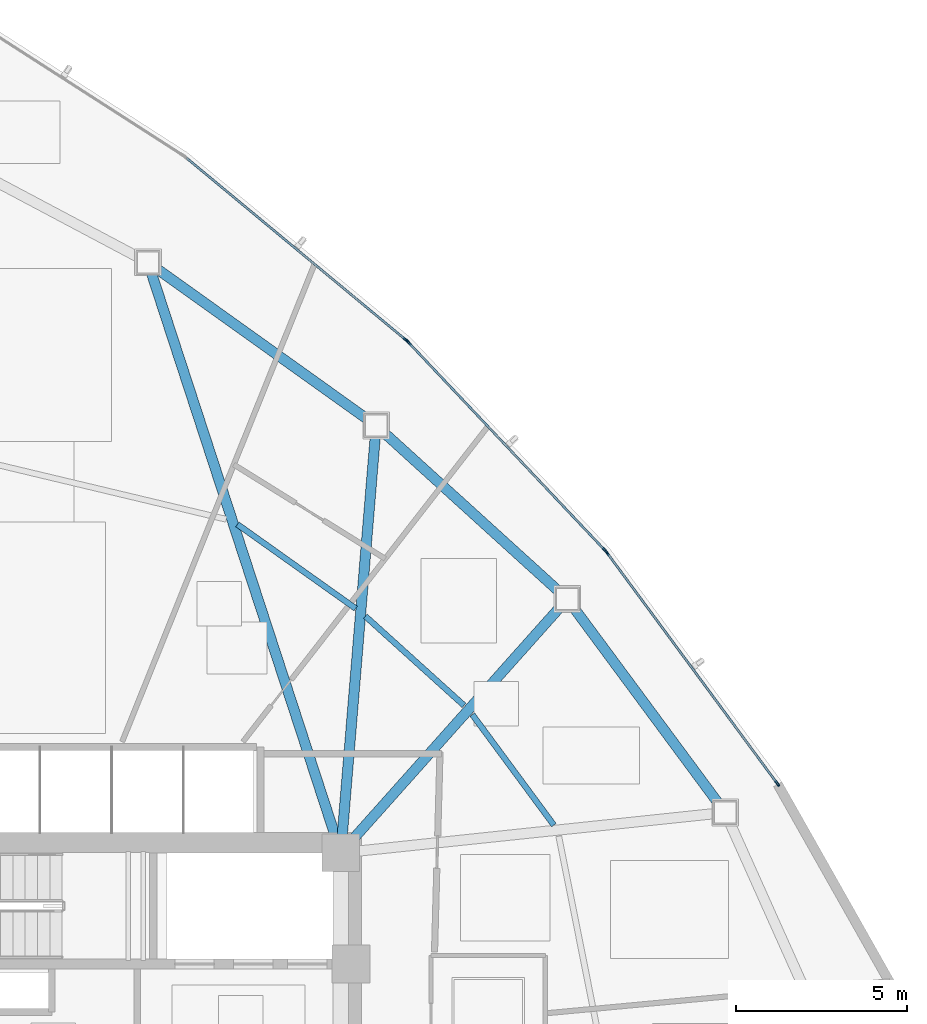
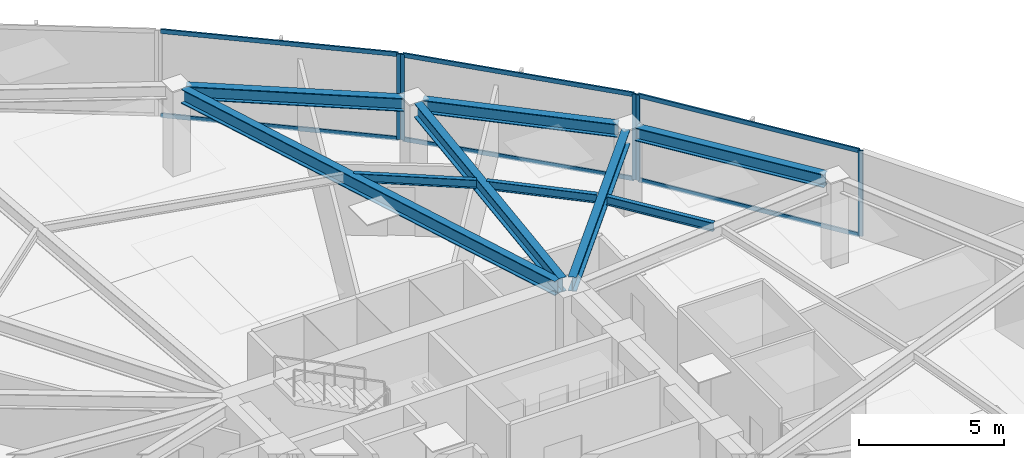
# One storey, part 9 of 17: 11 members, 9 beams, 3 elements without a shape of their own.
"""IFC4 building model written with IfcOpenShell, lengths in metres."""

from ifc_helpers import new_model, si_unit, direction, frame, origin, origin_2d, place, context, subcontext, project, spatial, hollow_rectangle, i_section, extrude, source, transform, mapped, material, layer, layer_set, material_profile, profile_set, type_object, type_shapes, element, aggregate, save


model = new_model("IFC4")

# Units and contexts
model_context = context("Model", 3, precision=1e-05, world=origin(), true_north=direction((0.0, 1.0)))
body_context = subcontext(model_context, "Body", "Model", "MODEL_VIEW")
ifc_project = project(units=[si_unit("LENGTHUNIT", "METRE"), si_unit("AREAUNIT", "SQUARE_METRE"), si_unit("VOLUMEUNIT", "CUBIC_METRE"), si_unit("PLANEANGLEUNIT", "RADIAN"), si_unit("MASSUNIT", "GRAM", prefix="KILO")], contexts=[model_context])

# Site, building, storey
site_placement = place(None, origin())
site = spatial("IfcSite", under=ifc_project, at=site_placement, CompositionType="ELEMENT")
building_placement = place(site_placement, origin())
building = spatial("IfcBuilding", under=site, at=building_placement, Name="Tavelor Broadcast Tower", CompositionType="ELEMENT")
storey_placement = place(building_placement, frame((0.0, 0.0, 66.60009765625)))
storey = spatial("IfcBuildingStorey", under=building, at=storey_placement, Name="L15", CompositionType="ELEMENT", Elevation=66.60009765625)

# Beams
ifc_material_1 = material(Name="Steel S355", Category="steel")
ifc_material_profile_1 = material_profile(ifc_material_1, i_section(OverallWidth=0.169921875, OverallDepth=0.360107421875, WebThickness=0.008056640625, FlangeThickness=0.0126953125, at=origin_2d()), Name="IPE 360")
ifc_profile_set_1 = profile_set([ifc_material_profile_1], Name="Steel S355")
beam_type_1 = type_object("IfcBeamType", Name="Composite Floor Joist T2 IPE 360", PredefinedType="JOIST", material=ifc_profile_set_1)
beam_1_placement = place(storey_placement, frame((62.831298828125, 52.012451171875, 3.419921875), z_axis=(-0.593748309908, 0.804650821463, 0.0), x_axis=(-0.804650821463, -0.593748309908, 0.0)))
element("IfcBeam", 1, at=beam_1_placement, inside=storey, type_object=beam_type_1, Name="L15 Secondary Composite Floor Joist 15", PredefinedType="JOIST", context=body_context, shape_type="SweptSolid", body=[
    extrude(i_section(OverallWidth=0.169921875, OverallDepth=0.360107421875, WebThickness=0.008056640625, FlangeThickness=0.0126953125, at=origin_2d()), origin(), (0.0, 0.0, 1.0), 4.016845703125),
])
beam_2_placement = place(storey_placement, frame((60.20458984375, 55.51171875, 3.419921875), z_axis=(-0.741870075826, 0.670543653011, 0.0), x_axis=(-0.670543653011, -0.741870075826, 0.0)))
element("IfcBeam", 2, at=beam_2_placement, inside=storey, type_object=beam_type_1, Name="L15 Secondary Composite Floor Joist 16", PredefinedType="JOIST", context=body_context, shape_type="SweptSolid", body=[
    extrude(i_section(OverallWidth=0.169921875, OverallDepth=0.360107421875, WebThickness=0.008056640625, FlangeThickness=0.0126953125, at=origin_2d()), origin(), (0.0, 0.0, 1.0), 3.891845703125),
])
beam_3_placement = place(storey_placement, frame((57.03564453125, 58.34765625, 3.419921875), z_axis=(-0.814948080737, 0.579533972864, 0.0), x_axis=(-0.579533972864, -0.814948080737, 0.0)))
element("IfcBeam", 3, at=beam_3_placement, inside=storey, type_object=beam_type_1, Name="L15 Secondary Composite Floor Joist 17", PredefinedType="JOIST", context=body_context, shape_type="SweptSolid", body=[
    extrude(i_section(OverallWidth=0.169921875, OverallDepth=0.360107421875, WebThickness=0.008056640625, FlangeThickness=0.0126953125, at=origin_2d()), origin(), (0.0, 0.0, 1.0), 4.24462890625),
])
ifc_material_profile_2 = material_profile(ifc_material_1, i_section(OverallWidth=0.300048828125, OverallDepth=0.550048828125, WebThickness=0.014892578125, FlangeThickness=0.029052734375, at=origin_2d()), Name="HEB 550")
ifc_profile_set_2 = profile_set([ifc_material_profile_2], Name="Steel S355")
beam_type_2 = type_object("IfcBeamType", Name="Perimeter Spandrel Beam T2 HEB 550", PredefinedType="SPANDREL", material=ifc_profile_set_2)
beam_4_placement = place(storey_placement, frame((67.640869140625, 52.652587890625, 3.324951171875), z_axis=(-0.594676591659, 0.803965018724, 0.0), x_axis=(-0.803965018724, -0.594676591659, 0.0)))
element("IfcBeam", 4, at=beam_4_placement, inside=storey, type_object=beam_type_2, Name="L15 Framed-Tube Ring Spandrel 15", PredefinedType="SPANDREL", context=body_context, shape_type="SweptSolid", body=[
    extrude(i_section(OverallWidth=0.300048828125, OverallDepth=0.550048828125, WebThickness=0.014892578125, FlangeThickness=0.029052734375, at=origin_2d()), origin(), (0.0, 0.0, 1.0), 7.09130859375),
])
beam_5_placement = place(storey_placement, frame((62.975341796875, 58.849609375, 3.324951171875), z_axis=(-0.740416987409, 0.672147814663, 0.0), x_axis=(-0.672147814663, -0.740416987409, 0.0)))
element("IfcBeam", 5, at=beam_5_placement, inside=storey, type_object=beam_type_2, Name="L15 Framed-Tube Ring Spandrel 16", PredefinedType="SPANDREL", context=body_context, shape_type="SweptSolid", body=[
    extrude(i_section(OverallWidth=0.300048828125, OverallDepth=0.550048828125, WebThickness=0.014892578125, FlangeThickness=0.029052734375, at=origin_2d()), origin(), (0.0, 0.0, 1.0), 6.876953125),
])
beam_6_placement = place(storey_placement, frame((57.361572265625, 63.893310546875, 3.324951171875), z_axis=(-0.813492458128, 0.581575464208, 0.0), x_axis=(-0.581575464208, -0.813492458128, 0.0)))
element("IfcBeam", 6, at=beam_6_placement, inside=storey, type_object=beam_type_2, Name="L15 Framed-Tube Ring Spandrel 17", PredefinedType="SPANDREL", context=body_context, shape_type="SweptSolid", body=[
    extrude(i_section(OverallWidth=0.300048828125, OverallDepth=0.550048828125, WebThickness=0.014892578125, FlangeThickness=0.029052734375, at=origin_2d()), origin(), (0.0, 0.0, 1.0), 7.531005859375),
])
ifc_material_profile_3 = material_profile(ifc_material_1, i_section(OverallWidth=0.300048828125, OverallDepth=0.60009765625, WebThickness=0.015380859375, FlangeThickness=0.030029296875, at=origin_2d()), Name="HEB 600")
ifc_profile_set_3 = profile_set([ifc_material_profile_3], Name="Steel S355")
beam_type_3 = type_object("IfcBeamType", Name="Radial Floor Girder T2 HEB 600", PredefinedType="BEAM", material=ifc_profile_set_3)
beam_7_placement = place(storey_placement, frame((56.951416015625, 51.593994140625, 3.2998046875), z_axis=(0.665778646807, 0.74614931043, 0.0), x_axis=(-0.74614931043, 0.665778646807, 0.0)))
element("IfcBeam", 7, at=beam_7_placement, inside=storey, type_object=beam_type_3, Name="L15 Radial Primary Floor Girder 16", PredefinedType="BEAM", context=body_context, shape_type="SweptSolid", body=[
    extrude(i_section(OverallWidth=0.300048828125, OverallDepth=0.60009765625, WebThickness=0.015380859375, FlangeThickness=0.030029296875, at=origin_2d()), origin(), (0.0, 0.0, 1.0), 9.085693359375),
])
beam_8_placement = place(storey_placement, frame((56.6435546875, 51.726318359375, 3.2998046875), z_axis=(0.082528077466, 0.996588739867, 0.0), x_axis=(-0.996588739867, 0.082528077466, 0.0)))
element("IfcBeam", 8, at=beam_8_placement, inside=storey, type_object=beam_type_3, Name="L15 Radial Primary Floor Girder 17", PredefinedType="BEAM", context=body_context, shape_type="SweptSolid", body=[
    extrude(i_section(OverallWidth=0.300048828125, OverallDepth=0.60009765625, WebThickness=0.015380859375, FlangeThickness=0.030029296875, at=origin_2d()), origin(), (0.0, 0.0, 1.0), 11.67626953125),
])
beam_9_placement = place(storey_placement, frame((56.43603515625, 51.701904296875, 3.2998046875), z_axis=(-0.310367170997, 0.950616757251, 0.0), x_axis=(-0.950616757251, -0.310367170997, 0.0)))
element("IfcBeam", 9, at=beam_9_placement, inside=storey, type_object=beam_type_3, Name="L15 Radial Primary Floor Girder 18", PredefinedType="BEAM", context=body_context, shape_type="SweptSolid", body=[
    extrude(i_section(OverallWidth=0.300048828125, OverallDepth=0.60009765625, WebThickness=0.015380859375, FlangeThickness=0.030029296875, at=origin_2d()), origin(), (0.0, 0.0, 1.0), 17.3017578125),
])

# Curtain wall, members
ifc_material_2 = material(Name="Architectural Anodized Aluminium", Category="aluminium")
ifc_layer = layer(ifc_material_2, 0.179931640625)
ifc_layer_set = layer_set([ifc_layer], Name="Architectural Anodized Aluminium")
curtain_wall_type = type_object("IfcCurtainWallType", Name="Tower Low-Zone Unitised Curtain Wall CW02", PredefinedType="NOTDEFINED", material=ifc_layer_set)
curtain_wall_1_placement = place(storey_placement, origin())
curtain_wall_1 = element("IfcCurtainWall", 10, at=curtain_wall_1_placement, inside=storey, type_object=curtain_wall_type, Name="L15 Curtain Wall CW02 Run 141", PredefinedType="NOTDEFINED")
ifc_material_profile_4 = material_profile(ifc_material_2, hollow_rectangle(XDim=0.06494140625, YDim=0.179931640625, WallThickness=0.02197265625, at=origin_2d()), Name="RHS 65x180x22")
ifc_profile_set_4 = profile_set([ifc_material_profile_4], Name="Architectural Anodized Aluminium")
member_type_1 = type_object("IfcMemberType", Name="CW02 Extruded Aluminium Mullion 65x180", PredefinedType="MULLION", material=ifc_profile_set_4)
shared_shape_1 = source(origin(), body_context, "Body", "SweptSolid", [
    extrude(hollow_rectangle(XDim=0.06494140625, YDim=0.179931640625, WallThickness=0.02197265625, at=origin_2d()), origin(), (0.0, 0.0, 1.0), 3.599853515625),
])
type_shapes(member_type_1, [shared_shape_1])
member_1_placement = place(storey_placement, frame((69.3642578125, 53.228759765625, 0.0), z_axis=(0.0, 0.0, 1.0), x_axis=(-0.80464192158, -0.593760370888, 0.0)))
member_1 = element("IfcMember", 11, at=member_1_placement, type_object=member_type_1, Name="CW02 mullion 1", PredefinedType="MULLION", context=body_context, shape_type="MappedRepresentation", body=[
    mapped(shared_shape_1, transform((0.0, 0.0, 0.0), scale=1.0)),
])
member_2_placement = place(storey_placement, frame((64.385009765625, 59.97607421875, 0.0), z_axis=(0.0, 0.0, 1.0), x_axis=(-0.80464192158, -0.593760370888, 0.0)))
member_2 = element("IfcMember", 12, at=member_2_placement, type_object=member_type_1, Name="CW02 mullion 2", PredefinedType="MULLION", context=body_context, shape_type="MappedRepresentation", body=[
    mapped(shared_shape_1, transform((0.0, 0.0, 0.0), scale=1.0)),
])

curtain_wall_2_placement = place(storey_placement, origin())
curtain_wall_2 = element("IfcCurtainWall", 13, at=curtain_wall_2_placement, inside=storey, type_object=curtain_wall_type, Name="L15 Curtain Wall CW02 Run 142", PredefinedType="NOTDEFINED")
member_3_placement = place(storey_placement, frame((64.32421875, 60.048828125, 0.0), z_axis=(0.0, 0.0, 1.0), x_axis=(-0.726874402581, -0.686770414966, 0.0)))
member_3 = element("IfcMember", 14, at=member_3_placement, type_object=member_type_1, Name="CW02 mullion 1", PredefinedType="MULLION", context=body_context, shape_type="MappedRepresentation", body=[
    mapped(shared_shape_1, transform((0.0, 0.0, 0.0), scale=1.0)),
])
member_4_placement = place(storey_placement, frame((58.57568359375, 66.133056640625, 0.0), z_axis=(0.0, 0.0, 1.0), x_axis=(-0.726874402581, -0.686770414966, 0.0)))
member_4 = element("IfcMember", 15, at=member_4_placement, type_object=member_type_1, Name="CW02 mullion 2", PredefinedType="MULLION", context=body_context, shape_type="MappedRepresentation", body=[
    mapped(shared_shape_1, transform((0.0, 0.0, 0.0), scale=1.0)),
])

# Curtain wall, member
curtain_wall_3_placement = place(storey_placement, origin())
curtain_wall_3 = element("IfcCurtainWall", 16, at=curtain_wall_3_placement, inside=storey, type_object=curtain_wall_type, Name="L15 Curtain Wall CW02 Run 143", PredefinedType="NOTDEFINED")
member_5_placement = place(storey_placement, frame((58.50634765625, 66.197998046875, 0.0), z_axis=(0.0, 0.0, 1.0), x_axis=(-0.638422039221, -0.769686494514, 0.0)))
member_5 = element("IfcMember", 17, at=member_5_placement, type_object=member_type_1, Name="CW02 mullion 1", PredefinedType="MULLION", context=body_context, shape_type="MappedRepresentation", body=[
    mapped(shared_shape_1, transform((0.0, 0.0, 0.0), scale=1.0)),
])

# Member
ifc_material_profile_5 = material_profile(ifc_material_2, hollow_rectangle(XDim=0.06494140625, YDim=0.179931640625, WallThickness=0.02197265625, at=origin_2d()), Name="RHS 65x180x22")
ifc_profile_set_5 = profile_set([ifc_material_profile_5], Name="Architectural Anodized Aluminium")
member_type_2 = type_object("IfcMemberType", Name="CW02 Extruded Aluminium Transom 65x180", PredefinedType="USERDEFINED", material=ifc_profile_set_5)
shared_shape_2 = source(origin(), body_context, "Body", "SweptSolid", [
    extrude(hollow_rectangle(XDim=0.06494140625, YDim=0.179931640625, WallThickness=0.02197265625, at=origin_2d()), origin(), (0.0, 0.0, 1.0), 8.32080078125),
])
member_6_placement = place(storey_placement, frame((69.344970703125, 53.2548828125, 0.032470703125), z_axis=(-0.593780389377, 0.804627149176, 0.0), x_axis=(-0.804627149176, -0.593780389377, 0.0)))
member_6 = element("IfcMember", 18, at=member_6_placement, type_object=member_type_2, Name="CW02 transom 1.1", ObjectType="TRANSOM", PredefinedType="USERDEFINED", context=body_context, shape_type="MappedRepresentation", body=[
    mapped(shared_shape_2, transform((0.0, 0.0, 0.0), scale=1.0)),
])

member_7_placement = place(storey_placement, frame((69.344970703125, 53.2548828125, 3.5673828125), z_axis=(-0.593780389377, 0.804627149176, 0.0), x_axis=(-0.804627149176, -0.593780389377, 0.0)))
member_7 = element("IfcMember", 19, at=member_7_placement, type_object=member_type_2, Name="CW02 transom 1.2", ObjectType="TRANSOM", PredefinedType="USERDEFINED", context=body_context, shape_type="MappedRepresentation", body=[
    mapped(shared_shape_2, transform((0.0, 0.0, 0.0), scale=1.0)),
])

aggregate(curtain_wall_1, [member_1, member_2, member_6, member_7])

shared_shape_3 = source(origin(), body_context, "Body", "SweptSolid", [
    extrude(hollow_rectangle(XDim=0.06494140625, YDim=0.179931640625, WallThickness=0.02197265625, at=origin_2d()), origin(), (0.0, 0.0, 1.0), 8.3056640625),
])
type_shapes(member_type_2, [shared_shape_2, shared_shape_3])
member_8_placement = place(storey_placement, frame((64.302001953125, 60.072509765625, 0.032470703125), z_axis=(-0.686775430033, 0.726869664178, 0.0), x_axis=(-0.726869664178, -0.686775430033, 0.0)))
member_8 = element("IfcMember", 20, at=member_8_placement, type_object=member_type_2, Name="CW02 transom 1.1", ObjectType="TRANSOM", PredefinedType="USERDEFINED", context=body_context, shape_type="MappedRepresentation", body=[
    mapped(shared_shape_3, transform((0.0, 0.0, 0.0), scale=1.0)),
])

member_9_placement = place(storey_placement, frame((64.302001953125, 60.072509765625, 3.5673828125), z_axis=(-0.686775430033, 0.726869664178, 0.0), x_axis=(-0.726869664178, -0.686775430033, 0.0)))
member_9 = element("IfcMember", 21, at=member_9_placement, type_object=member_type_2, Name="CW02 transom 1.2", ObjectType="TRANSOM", PredefinedType="USERDEFINED", context=body_context, shape_type="MappedRepresentation", body=[
    mapped(shared_shape_3, transform((0.0, 0.0, 0.0), scale=1.0)),
])

aggregate(curtain_wall_2, [member_3, member_4, member_8, member_9])

member_10_placement = place(storey_placement, frame((58.4814453125, 66.21875, 0.032470703125), z_axis=(-0.769691375955, 0.638416154072, 0.0), x_axis=(-0.638416154072, -0.769691375955, 0.0)))
member_10 = element("IfcMember", 22, at=member_10_placement, type_object=member_type_2, Name="CW02 transom 1.1", ObjectType="TRANSOM", PredefinedType="USERDEFINED", context=body_context, shape_type="MappedRepresentation", body=[
    mapped(shared_shape_3, transform((0.0, 0.0, 0.0), scale=1.0)),
])

member_11_placement = place(storey_placement, frame((58.4814453125, 66.21875, 3.5673828125), z_axis=(-0.769691375955, 0.638416154072, 0.0), x_axis=(-0.638416154072, -0.769691375955, 0.0)))
member_11 = element("IfcMember", 23, at=member_11_placement, type_object=member_type_2, Name="CW02 transom 1.2", ObjectType="TRANSOM", PredefinedType="USERDEFINED", context=body_context, shape_type="MappedRepresentation", body=[
    mapped(shared_shape_3, transform((0.0, 0.0, 0.0), scale=1.0)),
])

aggregate(curtain_wall_3, [member_5, member_10, member_11])

save(model, "model.ifc")
